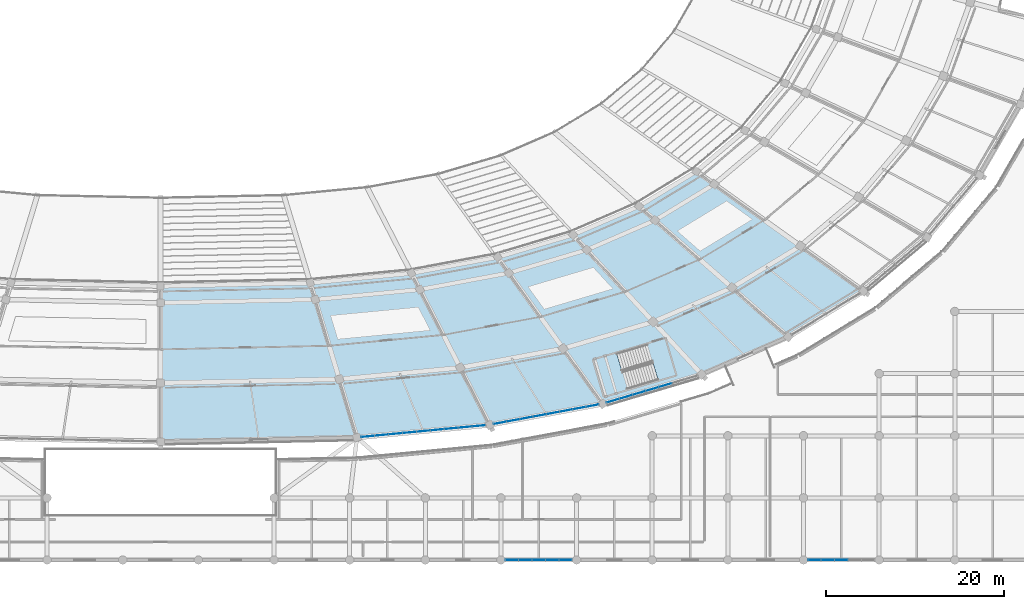
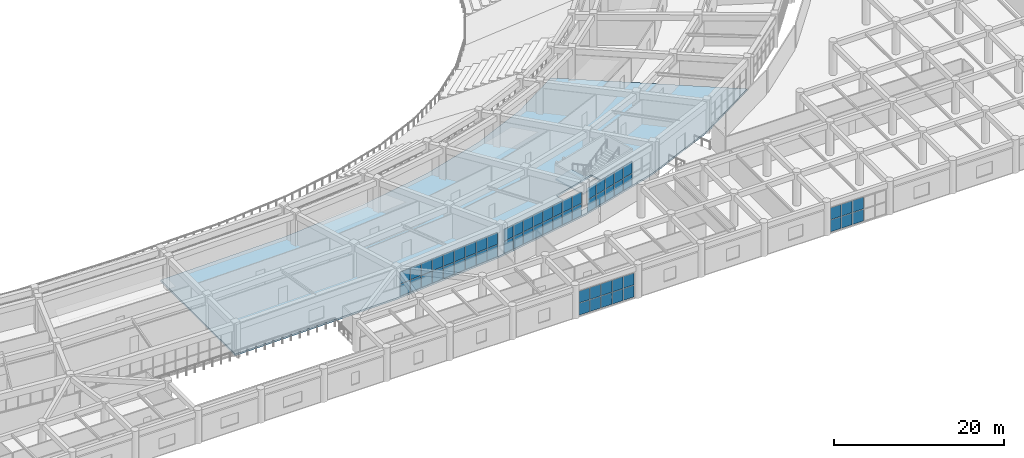
# One storey, part 83 of 152: 60 plates, 2 slabs, 6 elements without a shape of their own.
"""IFC4 building model written with IfcOpenShell, lengths in metres."""

from ifc_helpers import new_model, si_unit, direction, frame, origin, origin_2d, place, context, subcontext, project, spatial, polyline, rectangle, outline, extrude, material, layer, layer_set, type_object, element, aggregate, save


model = new_model("IFC4")

# Units and contexts
model_context = context("Model", 3, precision=1e-05, world=origin(), true_north=direction((0.0, 1.0)))
body_context = subcontext(model_context, "Body", "Model", "MODEL_VIEW")
ifc_project = project(units=[si_unit("LENGTHUNIT", "METRE"), si_unit("AREAUNIT", "SQUARE_METRE"), si_unit("VOLUMEUNIT", "CUBIC_METRE"), si_unit("PLANEANGLEUNIT", "RADIAN"), si_unit("MASSUNIT", "GRAM", prefix="KILO")], contexts=[model_context])

# Site, building, storey
site_placement = place(None, origin())
site = spatial("IfcSite", under=ifc_project, at=site_placement, CompositionType="ELEMENT")
building_placement = place(site_placement, origin())
building = spatial("IfcBuilding", under=site, at=building_placement, Name="Mphavela Belvedere Stadium", CompositionType="ELEMENT")
storey_placement = place(building_placement, frame((0.0, 0.0, 5.39990234375)))
storey = spatial("IfcBuildingStorey", under=building, at=storey_placement, Name="L01", CompositionType="ELEMENT", Elevation=5.39990234375)

# Curtain wall, plates
ifc_material_1 = material(Name="Anodised bronze unitised curtain wall framing")
ifc_layer_1 = layer(ifc_material_1, 0.199951171875)
ifc_layer_set_1 = layer_set([ifc_layer_1], Name="Anodised bronze unitised curtain wall framing")
curtain_wall_type_1 = type_object("IfcCurtainWallType", Name="CW-UNIT-05", PredefinedType="USERDEFINED", material=ifc_layer_set_1)
curtain_wall_1_placement = place(storey_placement, origin())
curtain_wall_1 = element("IfcCurtainWall", 1, at=curtain_wall_1_placement, inside=storey, type_object=curtain_wall_type_1, Name="Belvedere colonnade curtain wall L01-38", ObjectType="UNITISED CURTAIN WALL", PredefinedType="USERDEFINED")
ifc_material_2 = material(Name="Solar-control double glazing", Category="glass")
ifc_layer_2 = layer(ifc_material_2, 0.031982421875)
ifc_layer_set_2 = layer_set([ifc_layer_2], Name="Solar-control double glazing")
plate_type = type_object("IfcPlateType", Name="CWP-SOLAR-GLASS", PredefinedType="CURTAIN_PANEL", material=ifc_layer_set_2)
plate_1_placement = place(storey_placement, frame((138.336181640625, 13.922607421875, 0.06005859375), z_axis=(0.0, 0.0, 1.0), x_axis=(0.99548468981, 0.094922243726, 0.0)))
plate_1 = element("IfcPlate", 2, at=plate_1_placement, type_object=plate_type, Name="CW-05 panel 1.1", PredefinedType="CURTAIN_PANEL", context=body_context, shape_type="SweptSolid", body=[
    extrude(rectangle(XDim=1.47802734375, YDim=0.031982421875, at=origin_2d()), origin(), (0.0, 0.0, 1.0), 1.695068359375),
])
plate_2_placement = place(storey_placement, frame((138.336181640625, 13.922607421875, 1.81494140625), z_axis=(0.0, 0.0, 1.0), x_axis=(0.99548468981, 0.094922243726, 0.0)))
plate_2 = element("IfcPlate", 3, at=plate_2_placement, type_object=plate_type, Name="CW-05 panel 1.2", PredefinedType="CURTAIN_PANEL", context=body_context, shape_type="SweptSolid", body=[
    extrude(rectangle(XDim=1.47802734375, YDim=0.031982421875, at=origin_2d()), origin(), (0.0, 0.0, 1.0), 1.695068359375),
])
plate_3_placement = place(storey_placement, frame((139.888427734375, 14.07080078125, 0.06005859375), z_axis=(0.0, 0.0, 1.0), x_axis=(0.99548468981, 0.094922243726, 0.0)))
plate_3 = element("IfcPlate", 4, at=plate_3_placement, type_object=plate_type, Name="CW-05 panel 2.1", PredefinedType="CURTAIN_PANEL", context=body_context, shape_type="SweptSolid", body=[
    extrude(rectangle(XDim=1.510498046875, YDim=0.031982421875, at=origin_2d()), origin(), (0.0, 0.0, 1.0), 1.695068359375),
])
plate_4_placement = place(storey_placement, frame((139.888427734375, 14.07080078125, 1.81494140625), z_axis=(0.0, 0.0, 1.0), x_axis=(0.99548468981, 0.094922243726, 0.0)))
plate_4 = element("IfcPlate", 5, at=plate_4_placement, type_object=plate_type, Name="CW-05 panel 2.2", PredefinedType="CURTAIN_PANEL", context=body_context, shape_type="SweptSolid", body=[
    extrude(rectangle(XDim=1.510498046875, YDim=0.031982421875, at=origin_2d()), origin(), (0.0, 0.0, 1.0), 1.695068359375),
])
plate_5_placement = place(storey_placement, frame((141.456787109375, 14.22021484375, 0.06005859375), z_axis=(0.0, 0.0, 1.0), x_axis=(0.99548468981, 0.094922243726, 0.0)))
plate_5 = element("IfcPlate", 6, at=plate_5_placement, type_object=plate_type, Name="CW-05 panel 3.1", PredefinedType="CURTAIN_PANEL", context=body_context, shape_type="SweptSolid", body=[
    extrude(rectangle(XDim=1.510498046875, YDim=0.031982421875, at=origin_2d()), origin(), (0.0, 0.0, 1.0), 1.695068359375),
])
plate_6_placement = place(storey_placement, frame((141.456787109375, 14.22021484375, 1.81494140625), z_axis=(0.0, 0.0, 1.0), x_axis=(0.99548468981, 0.094922243726, 0.0)))
plate_6 = element("IfcPlate", 7, at=plate_6_placement, type_object=plate_type, Name="CW-05 panel 3.2", PredefinedType="CURTAIN_PANEL", context=body_context, shape_type="SweptSolid", body=[
    extrude(rectangle(XDim=1.510498046875, YDim=0.031982421875, at=origin_2d()), origin(), (0.0, 0.0, 1.0), 1.695068359375),
])
plate_7_placement = place(storey_placement, frame((143.025146484375, 14.369873046875, 0.06005859375), z_axis=(0.0, 0.0, 1.0), x_axis=(0.99548468981, 0.094922243726, 0.0)))
plate_7 = element("IfcPlate", 8, at=plate_7_placement, type_object=plate_type, Name="CW-05 panel 4.1", PredefinedType="CURTAIN_PANEL", context=body_context, shape_type="SweptSolid", body=[
    extrude(rectangle(XDim=1.510498046875, YDim=0.031982421875, at=origin_2d()), origin(), (0.0, 0.0, 1.0), 1.695068359375),
])
plate_8_placement = place(storey_placement, frame((143.025146484375, 14.369873046875, 1.81494140625), z_axis=(0.0, 0.0, 1.0), x_axis=(0.99548468981, 0.094922243726, 0.0)))
plate_8 = element("IfcPlate", 9, at=plate_8_placement, type_object=plate_type, Name="CW-05 panel 4.2", PredefinedType="CURTAIN_PANEL", context=body_context, shape_type="SweptSolid", body=[
    extrude(rectangle(XDim=1.510498046875, YDim=0.031982421875, at=origin_2d()), origin(), (0.0, 0.0, 1.0), 1.695068359375),
])
plate_9_placement = place(storey_placement, frame((144.59375, 14.519287109375, 0.06005859375), z_axis=(0.0, 0.0, 1.0), x_axis=(0.99548468981, 0.094922243726, 0.0)))
plate_9 = element("IfcPlate", 10, at=plate_9_placement, type_object=plate_type, Name="CW-05 panel 5.1", PredefinedType="CURTAIN_PANEL", context=body_context, shape_type="SweptSolid", body=[
    extrude(rectangle(XDim=1.510498046875, YDim=0.031982421875, at=origin_2d()), origin(), (0.0, 0.0, 1.0), 1.695068359375),
])
plate_10_placement = place(storey_placement, frame((144.59375, 14.519287109375, 1.81494140625), z_axis=(0.0, 0.0, 1.0), x_axis=(0.99548468981, 0.094922243726, 0.0)))
plate_10 = element("IfcPlate", 11, at=plate_10_placement, type_object=plate_type, Name="CW-05 panel 5.2", PredefinedType="CURTAIN_PANEL", context=body_context, shape_type="SweptSolid", body=[
    extrude(rectangle(XDim=1.510498046875, YDim=0.031982421875, at=origin_2d()), origin(), (0.0, 0.0, 1.0), 1.695068359375),
])
plate_11_placement = place(storey_placement, frame((146.162109375, 14.6689453125, 0.06005859375), z_axis=(0.0, 0.0, 1.0), x_axis=(0.99548468981, 0.094922243726, 0.0)))
plate_11 = element("IfcPlate", 12, at=plate_11_placement, type_object=plate_type, Name="CW-05 panel 6.1", PredefinedType="CURTAIN_PANEL", context=body_context, shape_type="SweptSolid", body=[
    extrude(rectangle(XDim=1.510498046875, YDim=0.031982421875, at=origin_2d()), origin(), (0.0, 0.0, 1.0), 1.695068359375),
])
plate_12_placement = place(storey_placement, frame((146.162109375, 14.6689453125, 1.81494140625), z_axis=(0.0, 0.0, 1.0), x_axis=(0.99548468981, 0.094922243726, 0.0)))
plate_12 = element("IfcPlate", 13, at=plate_12_placement, type_object=plate_type, Name="CW-05 panel 6.2", PredefinedType="CURTAIN_PANEL", context=body_context, shape_type="SweptSolid", body=[
    extrude(rectangle(XDim=1.510498046875, YDim=0.031982421875, at=origin_2d()), origin(), (0.0, 0.0, 1.0), 1.695068359375),
])
plate_13_placement = place(storey_placement, frame((147.73046875, 14.818603515625, 0.06005859375), z_axis=(0.0, 0.0, 1.0), x_axis=(0.99548468981, 0.094922243726, 0.0)))
plate_13 = element("IfcPlate", 14, at=plate_13_placement, type_object=plate_type, Name="CW-05 panel 7.1", PredefinedType="CURTAIN_PANEL", context=body_context, shape_type="SweptSolid", body=[
    extrude(rectangle(XDim=1.510498046875, YDim=0.031982421875, at=origin_2d()), origin(), (0.0, 0.0, 1.0), 1.695068359375),
])
plate_14_placement = place(storey_placement, frame((147.73046875, 14.818603515625, 1.81494140625), z_axis=(0.0, 0.0, 1.0), x_axis=(0.99548468981, 0.094922243726, 0.0)))
plate_14 = element("IfcPlate", 15, at=plate_14_placement, type_object=plate_type, Name="CW-05 panel 7.2", PredefinedType="CURTAIN_PANEL", context=body_context, shape_type="SweptSolid", body=[
    extrude(rectangle(XDim=1.510498046875, YDim=0.031982421875, at=origin_2d()), origin(), (0.0, 0.0, 1.0), 1.695068359375),
])
plate_15_placement = place(storey_placement, frame((149.299072265625, 14.968017578125, 0.06005859375), z_axis=(0.0, 0.0, 1.0), x_axis=(0.99548468981, 0.094922243726, 0.0)))
plate_15 = element("IfcPlate", 16, at=plate_15_placement, type_object=plate_type, Name="CW-05 panel 8.1", PredefinedType="CURTAIN_PANEL", context=body_context, shape_type="SweptSolid", body=[
    extrude(rectangle(XDim=1.510498046875, YDim=0.031982421875, at=origin_2d()), origin(), (0.0, 0.0, 1.0), 1.695068359375),
])
plate_16_placement = place(storey_placement, frame((149.299072265625, 14.968017578125, 1.81494140625), z_axis=(0.0, 0.0, 1.0), x_axis=(0.99548468981, 0.094922243726, 0.0)))
plate_16 = element("IfcPlate", 17, at=plate_16_placement, type_object=plate_type, Name="CW-05 panel 8.2", PredefinedType="CURTAIN_PANEL", context=body_context, shape_type="SweptSolid", body=[
    extrude(rectangle(XDim=1.510498046875, YDim=0.031982421875, at=origin_2d()), origin(), (0.0, 0.0, 1.0), 1.695068359375),
])
plate_17_placement = place(storey_placement, frame((150.851318359375, 15.115966796875, 0.06005859375), z_axis=(0.0, 0.0, 1.0), x_axis=(0.99548468981, 0.094922243726, 0.0)))
plate_17 = element("IfcPlate", 18, at=plate_17_placement, type_object=plate_type, Name="CW-05 panel 9.1", PredefinedType="CURTAIN_PANEL", context=body_context, shape_type="SweptSolid", body=[
    extrude(rectangle(XDim=1.47802734375, YDim=0.031982421875, at=origin_2d()), origin(), (0.0, 0.0, 1.0), 1.695068359375),
])
plate_18_placement = place(storey_placement, frame((150.851318359375, 15.115966796875, 1.81494140625), z_axis=(0.0, 0.0, 1.0), x_axis=(0.99548468981, 0.094922243726, 0.0)))
plate_18 = element("IfcPlate", 19, at=plate_18_placement, type_object=plate_type, Name="CW-05 panel 9.2", PredefinedType="CURTAIN_PANEL", context=body_context, shape_type="SweptSolid", body=[
    extrude(rectangle(XDim=1.47802734375, YDim=0.031982421875, at=origin_2d()), origin(), (0.0, 0.0, 1.0), 1.695068359375),
])
aggregate(curtain_wall_1, [plate_1, plate_2, plate_3, plate_4, plate_5, plate_6, plate_7, plate_8, plate_9, plate_10, plate_11, plate_12, plate_13, plate_14, plate_15, plate_16, plate_17, plate_18])

ifc_material_3 = material(Name="Anodised bronze unitised curtain wall framing")
ifc_layer_3 = layer(ifc_material_3, 0.205078125)
ifc_layer_set_3 = layer_set([ifc_layer_3], Name="Anodised bronze unitised curtain wall framing")
curtain_wall_type_2 = type_object("IfcCurtainWallType", Name="CW-UNIT-06", PredefinedType="USERDEFINED", material=ifc_layer_set_3)
curtain_wall_2_placement = place(storey_placement, origin())
curtain_wall_2 = element("IfcCurtainWall", 20, at=curtain_wall_2_placement, inside=storey, type_object=curtain_wall_type_2, Name="Belvedere colonnade curtain wall L01-39", ObjectType="UNITISED CURTAIN WALL", PredefinedType="USERDEFINED")
plate_19_placement = place(storey_placement, frame((153.248046875, 15.451416015625, 0.06005859375), z_axis=(0.0, 0.0, 1.0), x_axis=(0.983095232437, 0.18309495886, 0.0)))
plate_19 = element("IfcPlate", 21, at=plate_19_placement, type_object=plate_type, Name="CW-06 panel 1.1", PredefinedType="CURTAIN_PANEL", context=body_context, shape_type="SweptSolid", body=[
    extrude(rectangle(XDim=1.415283203125, YDim=0.031982421875, at=origin_2d()), origin(), (0.0, 0.0, 1.0), 1.695068359375),
])
plate_20_placement = place(storey_placement, frame((153.248046875, 15.451416015625, 1.81494140625), z_axis=(0.0, 0.0, 1.0), x_axis=(0.983095232437, 0.18309495886, 0.0)))
plate_20 = element("IfcPlate", 22, at=plate_20_placement, type_object=plate_type, Name="CW-06 panel 1.2", PredefinedType="CURTAIN_PANEL", context=body_context, shape_type="SweptSolid", body=[
    extrude(rectangle(XDim=1.415283203125, YDim=0.031982421875, at=origin_2d()), origin(), (0.0, 0.0, 1.0), 1.695068359375),
])
plate_21_placement = place(storey_placement, frame((154.71923828125, 15.725341796875, 0.06005859375), z_axis=(0.0, 0.0, 1.0), x_axis=(0.983095232437, 0.18309495886, 0.0)))
plate_21 = element("IfcPlate", 23, at=plate_21_placement, type_object=plate_type, Name="CW-06 panel 2.1", PredefinedType="CURTAIN_PANEL", context=body_context, shape_type="SweptSolid", body=[
    extrude(rectangle(XDim=1.44775390625, YDim=0.031982421875, at=origin_2d()), origin(), (0.0, 0.0, 1.0), 1.695068359375),
])
plate_22_placement = place(storey_placement, frame((154.71923828125, 15.725341796875, 1.81494140625), z_axis=(0.0, 0.0, 1.0), x_axis=(0.983095232437, 0.18309495886, 0.0)))
plate_22 = element("IfcPlate", 24, at=plate_22_placement, type_object=plate_type, Name="CW-06 panel 2.2", PredefinedType="CURTAIN_PANEL", context=body_context, shape_type="SweptSolid", body=[
    extrude(rectangle(XDim=1.44775390625, YDim=0.031982421875, at=origin_2d()), origin(), (0.0, 0.0, 1.0), 1.695068359375),
])
plate_23_placement = place(storey_placement, frame((156.206298828125, 16.00244140625, 0.06005859375), z_axis=(0.0, 0.0, 1.0), x_axis=(0.983095232437, 0.18309495886, 0.0)))
plate_23 = element("IfcPlate", 25, at=plate_23_placement, type_object=plate_type, Name="CW-06 panel 3.1", PredefinedType="CURTAIN_PANEL", context=body_context, shape_type="SweptSolid", body=[
    extrude(rectangle(XDim=1.44775390625, YDim=0.031982421875, at=origin_2d()), origin(), (0.0, 0.0, 1.0), 1.695068359375),
])
plate_24_placement = place(storey_placement, frame((156.206298828125, 16.00244140625, 1.81494140625), z_axis=(0.0, 0.0, 1.0), x_axis=(0.983095232437, 0.18309495886, 0.0)))
plate_24 = element("IfcPlate", 26, at=plate_24_placement, type_object=plate_type, Name="CW-06 panel 3.2", PredefinedType="CURTAIN_PANEL", context=body_context, shape_type="SweptSolid", body=[
    extrude(rectangle(XDim=1.44775390625, YDim=0.031982421875, at=origin_2d()), origin(), (0.0, 0.0, 1.0), 1.695068359375),
])
plate_25_placement = place(storey_placement, frame((157.693359375, 16.279296875, 0.06005859375), z_axis=(0.0, 0.0, 1.0), x_axis=(0.983095232437, 0.18309495886, 0.0)))
plate_25 = element("IfcPlate", 27, at=plate_25_placement, type_object=plate_type, Name="CW-06 panel 4.1", PredefinedType="CURTAIN_PANEL", context=body_context, shape_type="SweptSolid", body=[
    extrude(rectangle(XDim=1.44775390625, YDim=0.031982421875, at=origin_2d()), origin(), (0.0, 0.0, 1.0), 1.695068359375),
])
plate_26_placement = place(storey_placement, frame((157.693359375, 16.279296875, 1.81494140625), z_axis=(0.0, 0.0, 1.0), x_axis=(0.983095232437, 0.18309495886, 0.0)))
plate_26 = element("IfcPlate", 28, at=plate_26_placement, type_object=plate_type, Name="CW-06 panel 4.2", PredefinedType="CURTAIN_PANEL", context=body_context, shape_type="SweptSolid", body=[
    extrude(rectangle(XDim=1.44775390625, YDim=0.031982421875, at=origin_2d()), origin(), (0.0, 0.0, 1.0), 1.695068359375),
])
plate_27_placement = place(storey_placement, frame((159.1806640625, 16.556396484375, 0.06005859375), z_axis=(0.0, 0.0, 1.0), x_axis=(0.983095232437, 0.18309495886, 0.0)))
plate_27 = element("IfcPlate", 29, at=plate_27_placement, type_object=plate_type, Name="CW-06 panel 5.1", PredefinedType="CURTAIN_PANEL", context=body_context, shape_type="SweptSolid", body=[
    extrude(rectangle(XDim=1.44775390625, YDim=0.031982421875, at=origin_2d()), origin(), (0.0, 0.0, 1.0), 1.695068359375),
])
plate_28_placement = place(storey_placement, frame((159.1806640625, 16.556396484375, 1.81494140625), z_axis=(0.0, 0.0, 1.0), x_axis=(0.983095232437, 0.18309495886, 0.0)))
plate_28 = element("IfcPlate", 30, at=plate_28_placement, type_object=plate_type, Name="CW-06 panel 5.2", PredefinedType="CURTAIN_PANEL", context=body_context, shape_type="SweptSolid", body=[
    extrude(rectangle(XDim=1.44775390625, YDim=0.031982421875, at=origin_2d()), origin(), (0.0, 0.0, 1.0), 1.695068359375),
])
plate_29_placement = place(storey_placement, frame((160.667724609375, 16.833251953125, 0.06005859375), z_axis=(0.0, 0.0, 1.0), x_axis=(0.983095232437, 0.18309495886, 0.0)))
plate_29 = element("IfcPlate", 31, at=plate_29_placement, type_object=plate_type, Name="CW-06 panel 6.1", PredefinedType="CURTAIN_PANEL", context=body_context, shape_type="SweptSolid", body=[
    extrude(rectangle(XDim=1.44775390625, YDim=0.031982421875, at=origin_2d()), origin(), (0.0, 0.0, 1.0), 1.695068359375),
])
plate_30_placement = place(storey_placement, frame((160.667724609375, 16.833251953125, 1.81494140625), z_axis=(0.0, 0.0, 1.0), x_axis=(0.983095232437, 0.18309495886, 0.0)))
plate_30 = element("IfcPlate", 32, at=plate_30_placement, type_object=plate_type, Name="CW-06 panel 6.2", PredefinedType="CURTAIN_PANEL", context=body_context, shape_type="SweptSolid", body=[
    extrude(rectangle(XDim=1.44775390625, YDim=0.031982421875, at=origin_2d()), origin(), (0.0, 0.0, 1.0), 1.695068359375),
])
plate_31_placement = place(storey_placement, frame((162.15478515625, 17.1103515625, 0.06005859375), z_axis=(0.0, 0.0, 1.0), x_axis=(0.983095232437, 0.18309495886, 0.0)))
plate_31 = element("IfcPlate", 33, at=plate_31_placement, type_object=plate_type, Name="CW-06 panel 7.1", PredefinedType="CURTAIN_PANEL", context=body_context, shape_type="SweptSolid", body=[
    extrude(rectangle(XDim=1.44775390625, YDim=0.031982421875, at=origin_2d()), origin(), (0.0, 0.0, 1.0), 1.695068359375),
])
plate_32_placement = place(storey_placement, frame((162.15478515625, 17.1103515625, 1.81494140625), z_axis=(0.0, 0.0, 1.0), x_axis=(0.983095232437, 0.18309495886, 0.0)))
plate_32 = element("IfcPlate", 34, at=plate_32_placement, type_object=plate_type, Name="CW-06 panel 7.2", PredefinedType="CURTAIN_PANEL", context=body_context, shape_type="SweptSolid", body=[
    extrude(rectangle(XDim=1.44775390625, YDim=0.031982421875, at=origin_2d()), origin(), (0.0, 0.0, 1.0), 1.695068359375),
])
plate_33_placement = place(storey_placement, frame((163.6259765625, 17.38427734375, 0.06005859375), z_axis=(0.0, 0.0, 1.0), x_axis=(0.983095232437, 0.18309495886, 0.0)))
plate_33 = element("IfcPlate", 35, at=plate_33_placement, type_object=plate_type, Name="CW-06 panel 8.1", PredefinedType="CURTAIN_PANEL", context=body_context, shape_type="SweptSolid", body=[
    extrude(rectangle(XDim=1.415283203125, YDim=0.031982421875, at=origin_2d()), origin(), (0.0, 0.0, 1.0), 1.695068359375),
])
plate_34_placement = place(storey_placement, frame((163.6259765625, 17.38427734375, 1.81494140625), z_axis=(0.0, 0.0, 1.0), x_axis=(0.983095232437, 0.18309495886, 0.0)))
plate_34 = element("IfcPlate", 36, at=plate_34_placement, type_object=plate_type, Name="CW-06 panel 8.2", PredefinedType="CURTAIN_PANEL", context=body_context, shape_type="SweptSolid", body=[
    extrude(rectangle(XDim=1.415283203125, YDim=0.031982421875, at=origin_2d()), origin(), (0.0, 0.0, 1.0), 1.695068359375),
])
aggregate(curtain_wall_2, [plate_19, plate_20, plate_21, plate_22, plate_23, plate_24, plate_25, plate_26, plate_27, plate_28, plate_29, plate_30, plate_31, plate_32, plate_33, plate_34])

ifc_material_4 = material(Name="Anodised bronze unitised curtain wall framing")
ifc_layer_4 = layer(ifc_material_4, 0.179931640625)
ifc_layer_set_4 = layer_set([ifc_layer_4], Name="Anodised bronze unitised curtain wall framing")
curtain_wall_type_3 = type_object("IfcCurtainWallType", Name="CW-UNIT-01", PredefinedType="USERDEFINED", material=ifc_layer_set_4)
curtain_wall_3_placement = place(storey_placement, origin())
curtain_wall_3 = element("IfcCurtainWall", 37, at=curtain_wall_3_placement, inside=storey, type_object=curtain_wall_type_3, Name="Belvedere colonnade curtain wall L01-40", ObjectType="UNITISED CURTAIN WALL", PredefinedType="USERDEFINED")
plate_35_placement = place(storey_placement, frame((165.959716796875, 17.947021484375, 0.06005859375), z_axis=(0.0, 0.0, 1.0), x_axis=(0.958660876219, 0.28455109279, 0.0)))
plate_35 = element("IfcPlate", 38, at=plate_35_placement, type_object=plate_type, Name="CW-01 panel 1.1", PredefinedType="CURTAIN_PANEL", context=body_context, shape_type="SweptSolid", body=[
    extrude(rectangle(XDim=1.441162109375, YDim=0.031982421875, at=origin_2d()), origin(), (0.0, 0.0, 1.0), 1.695068359375),
])
plate_36_placement = place(storey_placement, frame((165.959716796875, 17.947021484375, 1.81494140625), z_axis=(0.0, 0.0, 1.0), x_axis=(0.958660876219, 0.28455109279, 0.0)))
plate_36 = element("IfcPlate", 39, at=plate_36_placement, type_object=plate_type, Name="CW-01 panel 1.2", PredefinedType="CURTAIN_PANEL", context=body_context, shape_type="SweptSolid", body=[
    extrude(rectangle(XDim=1.441162109375, YDim=0.031982421875, at=origin_2d()), origin(), (0.0, 0.0, 1.0), 1.695068359375),
])
plate_37_placement = place(storey_placement, frame((167.419189453125, 18.380126953125, 0.06005859375), z_axis=(0.0, 0.0, 1.0), x_axis=(0.958660876219, 0.28455109279, 0.0)))
plate_37 = element("IfcPlate", 40, at=plate_37_placement, type_object=plate_type, Name="CW-01 panel 2.1", PredefinedType="CURTAIN_PANEL", context=body_context, shape_type="SweptSolid", body=[
    extrude(rectangle(XDim=1.4736328125, YDim=0.031982421875, at=origin_2d()), origin(), (0.0, 0.0, 1.0), 1.695068359375),
])
plate_38_placement = place(storey_placement, frame((167.419189453125, 18.380126953125, 1.81494140625), z_axis=(0.0, 0.0, 1.0), x_axis=(0.958660876219, 0.28455109279, 0.0)))
plate_38 = element("IfcPlate", 41, at=plate_38_placement, type_object=plate_type, Name="CW-01 panel 2.2", PredefinedType="CURTAIN_PANEL", context=body_context, shape_type="SweptSolid", body=[
    extrude(rectangle(XDim=1.4736328125, YDim=0.031982421875, at=origin_2d()), origin(), (0.0, 0.0, 1.0), 1.695068359375),
])
plate_39_placement = place(storey_placement, frame((168.894287109375, 18.818115234375, 0.06005859375), z_axis=(0.0, 0.0, 1.0), x_axis=(0.958660876219, 0.28455109279, 0.0)))
plate_39 = element("IfcPlate", 42, at=plate_39_placement, type_object=plate_type, Name="CW-01 panel 3.1", PredefinedType="CURTAIN_PANEL", context=body_context, shape_type="SweptSolid", body=[
    extrude(rectangle(XDim=1.4736328125, YDim=0.031982421875, at=origin_2d()), origin(), (0.0, 0.0, 1.0), 1.695068359375),
])
plate_40_placement = place(storey_placement, frame((168.894287109375, 18.818115234375, 1.81494140625), z_axis=(0.0, 0.0, 1.0), x_axis=(0.958660876219, 0.28455109279, 0.0)))
plate_40 = element("IfcPlate", 43, at=plate_40_placement, type_object=plate_type, Name="CW-01 panel 3.2", PredefinedType="CURTAIN_PANEL", context=body_context, shape_type="SweptSolid", body=[
    extrude(rectangle(XDim=1.4736328125, YDim=0.031982421875, at=origin_2d()), origin(), (0.0, 0.0, 1.0), 1.695068359375),
])
plate_41_placement = place(storey_placement, frame((170.369384765625, 19.255859375, 0.06005859375), z_axis=(0.0, 0.0, 1.0), x_axis=(0.958660876219, 0.28455109279, 0.0)))
plate_41 = element("IfcPlate", 44, at=plate_41_placement, type_object=plate_type, Name="CW-01 panel 4.1", PredefinedType="CURTAIN_PANEL", context=body_context, shape_type="SweptSolid", body=[
    extrude(rectangle(XDim=1.4736328125, YDim=0.031982421875, at=origin_2d()), origin(), (0.0, 0.0, 1.0), 1.695068359375),
])
plate_42_placement = place(storey_placement, frame((170.369384765625, 19.255859375, 1.81494140625), z_axis=(0.0, 0.0, 1.0), x_axis=(0.958660876219, 0.28455109279, 0.0)))
plate_42 = element("IfcPlate", 45, at=plate_42_placement, type_object=plate_type, Name="CW-01 panel 4.2", PredefinedType="CURTAIN_PANEL", context=body_context, shape_type="SweptSolid", body=[
    extrude(rectangle(XDim=1.4736328125, YDim=0.031982421875, at=origin_2d()), origin(), (0.0, 0.0, 1.0), 1.695068359375),
])
plate_43_placement = place(storey_placement, frame((171.844482421875, 19.69384765625, 0.06005859375), z_axis=(0.0, 0.0, 1.0), x_axis=(0.958660876219, 0.28455109279, 0.0)))
plate_43 = element("IfcPlate", 46, at=plate_43_placement, type_object=plate_type, Name="CW-01 panel 5.1", PredefinedType="CURTAIN_PANEL", context=body_context, shape_type="SweptSolid", body=[
    extrude(rectangle(XDim=1.4736328125, YDim=0.031982421875, at=origin_2d()), origin(), (0.0, 0.0, 1.0), 1.695068359375),
])
plate_44_placement = place(storey_placement, frame((171.844482421875, 19.69384765625, 1.81494140625), z_axis=(0.0, 0.0, 1.0), x_axis=(0.958660876219, 0.28455109279, 0.0)))
plate_44 = element("IfcPlate", 47, at=plate_44_placement, type_object=plate_type, Name="CW-01 panel 5.2", PredefinedType="CURTAIN_PANEL", context=body_context, shape_type="SweptSolid", body=[
    extrude(rectangle(XDim=1.4736328125, YDim=0.031982421875, at=origin_2d()), origin(), (0.0, 0.0, 1.0), 1.695068359375),
])
aggregate(curtain_wall_3, [plate_35, plate_36, plate_37, plate_38, plate_39, plate_40, plate_41, plate_42, plate_43, plate_44])

curtain_wall_4_placement = place(storey_placement, origin())
curtain_wall_4 = element("IfcCurtainWall", 48, at=curtain_wall_4_placement, inside=storey, type_object=curtain_wall_type_1, Name="South Axial Triumphal Peristyle Portico gallery curtain wall L01-19", ObjectType="UNITISED CURTAIN WALL", PredefinedType="USERDEFINED")
plate_45_placement = place(storey_placement, frame((160.60546875, 0.0, 0.06005859375), z_axis=(0.0, 0.0, 1.0), x_axis=(-1.0, 0.0, 0.0)))
plate_45 = element("IfcPlate", 49, at=plate_45_placement, type_object=plate_type, Name="CW-05 panel 1.1", PredefinedType="CURTAIN_PANEL", context=body_context, shape_type="SweptSolid", body=[
    extrude(rectangle(XDim=1.4169921875, YDim=0.031982421875, at=origin_2d()), origin(), (0.0, 0.0, 1.0), 1.68994140625),
])
plate_46_placement = place(storey_placement, frame((160.60546875, 0.0, 1.81005859375), z_axis=(0.0, 0.0, 1.0), x_axis=(-1.0, 0.0, 0.0)))
plate_46 = element("IfcPlate", 50, at=plate_46_placement, type_object=plate_type, Name="CW-05 panel 1.2", PredefinedType="CURTAIN_PANEL", context=body_context, shape_type="SweptSolid", body=[
    extrude(rectangle(XDim=1.4169921875, YDim=0.031982421875, at=origin_2d()), origin(), (0.0, 0.0, 1.0), 1.68994140625),
])
plate_47_placement = place(storey_placement, frame((159.107177734375, 0.0, 0.06005859375), z_axis=(0.0, 0.0, 1.0), x_axis=(-1.0, 0.0, 0.0)))
plate_47 = element("IfcPlate", 51, at=plate_47_placement, type_object=plate_type, Name="CW-05 panel 2.1", PredefinedType="CURTAIN_PANEL", context=body_context, shape_type="SweptSolid", body=[
    extrude(rectangle(XDim=1.44970703125, YDim=0.031982421875, at=origin_2d()), origin(), (0.0, 0.0, 1.0), 1.68994140625),
])
plate_48_placement = place(storey_placement, frame((159.107177734375, 0.0, 1.81005859375), z_axis=(0.0, 0.0, 1.0), x_axis=(-1.0, 0.0, 0.0)))
plate_48 = element("IfcPlate", 52, at=plate_48_placement, type_object=plate_type, Name="CW-05 panel 2.2", PredefinedType="CURTAIN_PANEL", context=body_context, shape_type="SweptSolid", body=[
    extrude(rectangle(XDim=1.44970703125, YDim=0.031982421875, at=origin_2d()), origin(), (0.0, 0.0, 1.0), 1.68994140625),
])
plate_49_placement = place(storey_placement, frame((157.592529296875, 0.0, 0.06005859375), z_axis=(0.0, 0.0, 1.0), x_axis=(-1.0, 0.0, 0.0)))
plate_49 = element("IfcPlate", 53, at=plate_49_placement, type_object=plate_type, Name="CW-05 panel 3.1", PredefinedType="CURTAIN_PANEL", context=body_context, shape_type="SweptSolid", body=[
    extrude(rectangle(XDim=1.44970703125, YDim=0.031982421875, at=origin_2d()), origin(), (0.0, 0.0, 1.0), 1.68994140625),
])
plate_50_placement = place(storey_placement, frame((157.592529296875, 0.0, 1.81005859375), z_axis=(0.0, 0.0, 1.0), x_axis=(-1.0, 0.0, 0.0)))
plate_50 = element("IfcPlate", 54, at=plate_50_placement, type_object=plate_type, Name="CW-05 panel 3.2", PredefinedType="CURTAIN_PANEL", context=body_context, shape_type="SweptSolid", body=[
    extrude(rectangle(XDim=1.44970703125, YDim=0.031982421875, at=origin_2d()), origin(), (0.0, 0.0, 1.0), 1.68994140625),
])
plate_51_placement = place(storey_placement, frame((156.077880859375, 0.0, 0.06005859375), z_axis=(0.0, 0.0, 1.0), x_axis=(-1.0, 0.0, 0.0)))
plate_51 = element("IfcPlate", 55, at=plate_51_placement, type_object=plate_type, Name="CW-05 panel 4.1", PredefinedType="CURTAIN_PANEL", context=body_context, shape_type="SweptSolid", body=[
    extrude(rectangle(XDim=1.44970703125, YDim=0.031982421875, at=origin_2d()), origin(), (0.0, 0.0, 1.0), 1.68994140625),
])
plate_52_placement = place(storey_placement, frame((156.077880859375, 0.0, 1.81005859375), z_axis=(0.0, 0.0, 1.0), x_axis=(-1.0, 0.0, 0.0)))
plate_52 = element("IfcPlate", 56, at=plate_52_placement, type_object=plate_type, Name="CW-05 panel 4.2", PredefinedType="CURTAIN_PANEL", context=body_context, shape_type="SweptSolid", body=[
    extrude(rectangle(XDim=1.44970703125, YDim=0.031982421875, at=origin_2d()), origin(), (0.0, 0.0, 1.0), 1.68994140625),
])
plate_53_placement = place(storey_placement, frame((154.57958984375, 0.0, 0.06005859375), z_axis=(0.0, 0.0, 1.0), x_axis=(-1.0, 0.0, 0.0)))
plate_53 = element("IfcPlate", 57, at=plate_53_placement, type_object=plate_type, Name="CW-05 panel 5.1", PredefinedType="CURTAIN_PANEL", context=body_context, shape_type="SweptSolid", body=[
    extrude(rectangle(XDim=1.4169921875, YDim=0.031982421875, at=origin_2d()), origin(), (0.0, 0.0, 1.0), 1.68994140625),
])
plate_54_placement = place(storey_placement, frame((154.57958984375, 0.0, 1.81005859375), z_axis=(0.0, 0.0, 1.0), x_axis=(-1.0, 0.0, 0.0)))
plate_54 = element("IfcPlate", 58, at=plate_54_placement, type_object=plate_type, Name="CW-05 panel 5.2", PredefinedType="CURTAIN_PANEL", context=body_context, shape_type="SweptSolid", body=[
    extrude(rectangle(XDim=1.4169921875, YDim=0.031982421875, at=origin_2d()), origin(), (0.0, 0.0, 1.0), 1.68994140625),
])
aggregate(curtain_wall_4, [plate_45, plate_46, plate_47, plate_48, plate_49, plate_50, plate_51, plate_52, plate_53, plate_54])

curtain_wall_5_placement = place(storey_placement, origin())
curtain_wall_5 = element("IfcCurtainWall", 59, at=curtain_wall_5_placement, inside=storey, type_object=curtain_wall_type_2, Name="South Axial Triumphal Peristyle Portico gallery curtain wall L01-23", ObjectType="UNITISED CURTAIN WALL", PredefinedType="USERDEFINED")
plate_55_placement = place(storey_placement, frame((191.66650390625, 0.0, 0.06005859375), z_axis=(0.0, 0.0, 1.0), x_axis=(-1.0, 0.0, 0.0)))
plate_55 = element("IfcPlate", 60, at=plate_55_placement, type_object=plate_type, Name="CW-06 panel 3.1", PredefinedType="CURTAIN_PANEL", context=body_context, shape_type="SweptSolid", body=[
    extrude(rectangle(XDim=1.44970703125, YDim=0.031982421875, at=origin_2d()), origin(), (0.0, 0.0, 1.0), 1.68994140625),
])
plate_56_placement = place(storey_placement, frame((191.66650390625, 0.0, 1.81005859375), z_axis=(0.0, 0.0, 1.0), x_axis=(-1.0, 0.0, 0.0)))
plate_56 = element("IfcPlate", 61, at=plate_56_placement, type_object=plate_type, Name="CW-06 panel 3.2", PredefinedType="CURTAIN_PANEL", context=body_context, shape_type="SweptSolid", body=[
    extrude(rectangle(XDim=1.44970703125, YDim=0.031982421875, at=origin_2d()), origin(), (0.0, 0.0, 1.0), 1.68994140625),
])
plate_57_placement = place(storey_placement, frame((190.15185546875, 0.0, 0.06005859375), z_axis=(0.0, 0.0, 1.0), x_axis=(-1.0, 0.0, 0.0)))
plate_57 = element("IfcPlate", 62, at=plate_57_placement, type_object=plate_type, Name="CW-06 panel 4.1", PredefinedType="CURTAIN_PANEL", context=body_context, shape_type="SweptSolid", body=[
    extrude(rectangle(XDim=1.44970703125, YDim=0.031982421875, at=origin_2d()), origin(), (0.0, 0.0, 1.0), 1.68994140625),
])
plate_58_placement = place(storey_placement, frame((190.15185546875, 0.0, 1.81005859375), z_axis=(0.0, 0.0, 1.0), x_axis=(-1.0, 0.0, 0.0)))
plate_58 = element("IfcPlate", 63, at=plate_58_placement, type_object=plate_type, Name="CW-06 panel 4.2", PredefinedType="CURTAIN_PANEL", context=body_context, shape_type="SweptSolid", body=[
    extrude(rectangle(XDim=1.44970703125, YDim=0.031982421875, at=origin_2d()), origin(), (0.0, 0.0, 1.0), 1.68994140625),
])
plate_59_placement = place(storey_placement, frame((188.653564453125, 0.0, 0.06005859375), z_axis=(0.0, 0.0, 1.0), x_axis=(-1.0, 0.0, 0.0)))
plate_59 = element("IfcPlate", 64, at=plate_59_placement, type_object=plate_type, Name="CW-06 panel 5.1", PredefinedType="CURTAIN_PANEL", context=body_context, shape_type="SweptSolid", body=[
    extrude(rectangle(XDim=1.4169921875, YDim=0.031982421875, at=origin_2d()), origin(), (0.0, 0.0, 1.0), 1.68994140625),
])
plate_60_placement = place(storey_placement, frame((188.653564453125, 0.0, 1.81005859375), z_axis=(0.0, 0.0, 1.0), x_axis=(-1.0, 0.0, 0.0)))
plate_60 = element("IfcPlate", 65, at=plate_60_placement, type_object=plate_type, Name="CW-06 panel 5.2", PredefinedType="CURTAIN_PANEL", context=body_context, shape_type="SweptSolid", body=[
    extrude(rectangle(XDim=1.4169921875, YDim=0.031982421875, at=origin_2d()), origin(), (0.0, 0.0, 1.0), 1.68994140625),
])
aggregate(curtain_wall_5, [plate_55, plate_56, plate_57, plate_58, plate_59, plate_60])

# Slab
ifc_material_5 = material(Name="Concrete C40/50", Category="concrete")
ifc_layer_5 = layer(ifc_material_5, 0.25)
ifc_layer_set_5 = layer_set([ifc_layer_5], Name="Concrete C40/50")
slab_type_1 = type_object("IfcSlabType", Name="SLB-CONCOURSE-250", PredefinedType="FLOOR", material=ifc_layer_set_5)
slab_1_placement = place(storey_placement, frame((0.0, 0.0, -0.25)))
element("IfcSlab", 66, at=slab_1_placement, inside=storey, type_object=slab_type_1, Name="Concourse sector slab L01-S7", PredefinedType="FLOOR", context=body_context, shape_type="SweptSolid", body=[
    extrude(outline(polyline([(175.33740234375, 43.7685546875), (194.155517578125, 30.285400390625), (185.6962890625, 25.13916015625), (175.9375, 20.90869140625), (164.80126953125, 17.60302734375), (152.07275390625, 15.232666015625), (137.114501953125, 13.80615234375), (115.0, 13.330078125), (115.0, 30.843994140625), (131.857177734375, 31.20703125), (143.25927734375, 32.294189453125), (152.961669921875, 34.101318359375), (161.450439453125, 36.62109375), (168.88916015625, 39.845703125), (175.33740234375, 43.7685546875)]), holes=[polyline([(163.7998046875, 22.5087890625), (164.991943359375, 18.491943359375), (171.02783203125, 20.283203125), (170.431640625, 22.291748046875), (170.109619140625, 22.196044921875), (169.513427734375, 24.20458984375), (163.7998046875, 22.5087890625)])]), origin(), (0.0, 0.0, 1.0), 0.25),
])

# Stair, slab
ifc_material_6 = material(Name="Precast concrete C45/55", Category="concrete")
stair_type = type_object("IfcStairType", Name="STR-TWO-RET-2", PredefinedType="TWO_STRAIGHT_RUN_STAIR", material=ifc_material_6)
stair_placement = place(storey_placement, origin())
stair = element("IfcStair", 67, at=stair_placement, inside=storey, type_object=stair_type, Name="L01 Escape stair core P04", PredefinedType="TWO_STRAIGHT_RUN_STAIR")
ifc_material_7 = material(Name="Concrete C40/50", Category="concrete")
ifc_layer_6 = layer(ifc_material_7, 0.199951171875)
ifc_layer_set_6 = layer_set([ifc_layer_6], Name="Concrete C40/50")
slab_type_2 = type_object("IfcSlabType", Name="SLB-LANDING-200", PredefinedType="LANDING", material=ifc_layer_set_6)
slab_2_placement = place(storey_placement, frame((0.0, 0.0, 2.2001953125)))
slab_2 = element("IfcSlab", 68, at=slab_2_placement, type_object=slab_type_2, Name="ST-P04 landing 1", PredefinedType="LANDING", context=body_context, shape_type="SweptSolid", body=[
    extrude(outline(polyline([(166.3359375, 23.38671875), (163.765625, 22.623779296875), (165.026123046875, 18.376953125), (167.936767578125, 19.24072265625), (167.306396484375, 21.3642578125), (166.966064453125, 21.26318359375), (166.3359375, 23.38671875)])), origin(), (0.0, 0.0, 1.0), 0.199951171875),
])
aggregate(stair, [slab_2])

save(model, "model.ifc")
